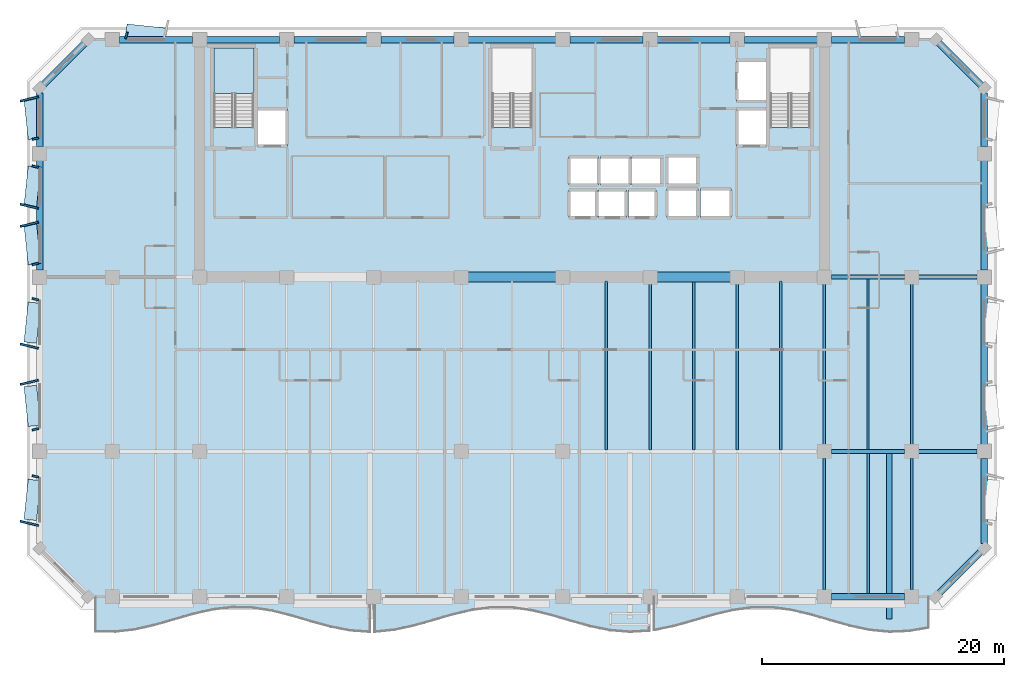
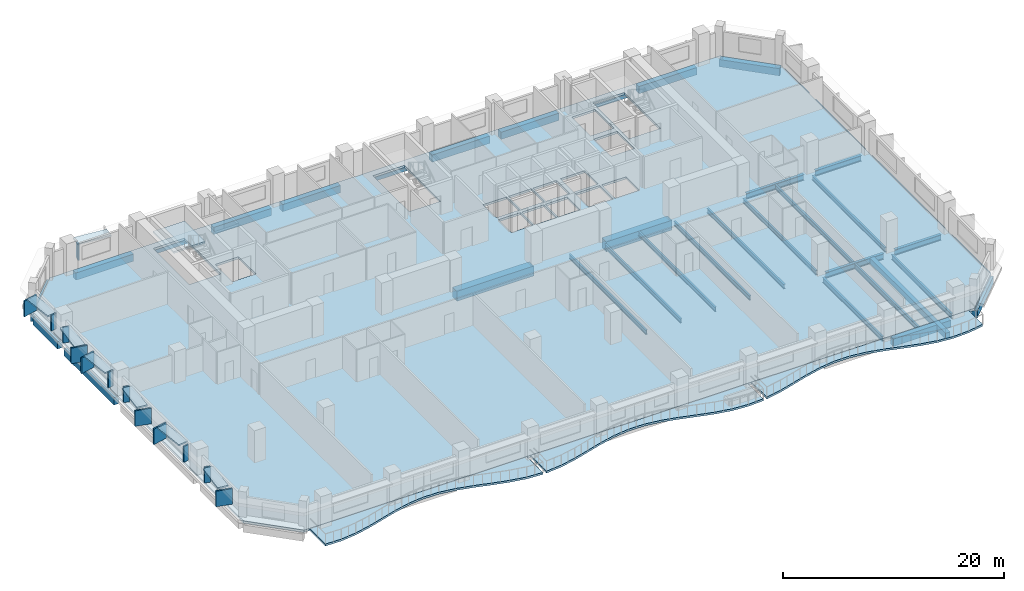
# One storey, part 2 of 14: 37 beams, 20 plates, 5 slabs, 1 element without a shape of its own.
"""IFC4 building model written with IfcOpenShell, lengths in metres."""

import ifcopenshell
import ifcopenshell.guid

model = None  # the IFC model being written
_history = None  # IfcOwnerHistory: only IFC2X3 demands one
_inside = {}  # id of a spatial element -> (the spatial element, [elements in it])
_under = {}  # id of a project, library or spatial element -> (it, [spatial elements below it])
_declared = {}  # id of a project -> (the project, [libraries it declares])
_typed = {}  # id of a type object -> (the type object, [elements of that type])
_made_of = {}  # id of a material, layer set ... -> (it, [elements and type objects made of it])


def new_model(schema):
    """Start an empty IFC model of exactly this schema.

    Asked for "IFC4X3", IfcOpenShell would pick the latest addendum, in which some entities
    have other attributes; the version numbers below select the first issue.
    IFC2X3 requires an IfcOwnerHistory on every rooted entity: one is made here for all.
    """
    global model, _history
    if schema == "IFC4X3":
        model = ifcopenshell.file(schema_version=(4, 3, 0, 0))
    else:
        model = ifcopenshell.file(schema=schema)
    _inside.clear()
    _under.clear()
    _declared.clear()
    _typed.clear()
    _made_of.clear()
    _history = None
    if model.schema == "IFC2X3":
        org = make("IfcOrganization", Name="unknown")
        user = make(
            "IfcPersonAndOrganization",
            ThePerson=make("IfcPerson", FamilyName="unknown"),
            TheOrganization=org,
        )
        app = make(
            "IfcApplication",
            ApplicationDeveloper=org,
            Version="unknown",
            ApplicationFullName="unknown",
            ApplicationIdentifier="unknown",
        )
        _history = make(
            "IfcOwnerHistory",
            OwningUser=user,
            OwningApplication=app,
            ChangeAction="ADDED",
            CreationDate=0,
        )
    return model


def make(cls, **values):
    """One entity of the class cls with the attributes given. An attribute that is None is left unset."""
    return model.create_entity(
        cls, **{name: value for name, value in values.items() if value is not None}
    )


def rooted(cls, **values):
    """An entity with a GlobalId (a new one), such as an element, a storey or a relation."""
    return make(cls, GlobalId=ifcopenshell.guid.new(), OwnerHistory=_history, **values)


def si_unit(unit_type, name, prefix=None):
    """IfcSIUnit, for example si_unit("LENGTHUNIT", "METRE", prefix="MILLI")."""
    return make("IfcSIUnit", UnitType=unit_type, Prefix=prefix, Name=name)


def assignment(units):
    """IfcUnitAssignment: the units of a project."""
    return None if units is None else make("IfcUnitAssignment", Units=units)


def point(xyz):
    """IfcCartesianPoint."""
    return None if xyz is None else make("IfcCartesianPoint", Coordinates=xyz)


def direction(xyz):
    """IfcDirection."""
    return None if xyz is None else make("IfcDirection", DirectionRatios=xyz)


def frame(location, z_axis=None, x_axis=None):
    """IfcAxis2Placement3D, a coordinate frame: its origin and axes. An axis left out is left unset."""
    return make(
        "IfcAxis2Placement3D",
        Location=point(location),
        Axis=direction(z_axis),
        RefDirection=direction(x_axis),
    )


def frame_2d(location, x_axis=None):
    """IfcAxis2Placement2D, a coordinate frame in the plane: its origin and x axis."""
    return make(
        "IfcAxis2Placement2D", Location=point(location), RefDirection=direction(x_axis)
    )


def origin():
    """The frame at (0, 0, 0) with its axes left unset."""
    return frame((0.0, 0.0, 0.0))


def origin_2d():
    """The frame at (0, 0) in the plane with its x axis left unset."""
    return frame_2d((0.0, 0.0))


def place(relative_to, where):
    """IfcLocalPlacement: puts the frame where relative to a parent placement (None: the world)."""
    return make(
        "IfcLocalPlacement", PlacementRelTo=relative_to, RelativePlacement=where
    )


def context(
    kind, dimensions, precision=None, world=None, true_north=None, identifier=None
):
    """IfcGeometricRepresentationContext, for example the 3D "Model" context."""
    return make(
        "IfcGeometricRepresentationContext",
        ContextIdentifier=identifier,
        ContextType=kind,
        CoordinateSpaceDimension=dimensions,
        Precision=precision,
        WorldCoordinateSystem=world,
        TrueNorth=true_north,
    )


def subcontext(parent, identifier, kind, view, scale=None):
    """IfcGeometricRepresentationSubContext, for example "Body" below "Model"."""
    return make(
        "IfcGeometricRepresentationSubContext",
        ContextIdentifier=identifier,
        ContextType=kind,
        ParentContext=parent,
        TargetScale=scale,
        TargetView=view,
    )


def project(units=None, contexts=None):
    """IfcProject with its units and contexts."""
    return rooted(
        "IfcProject",
        Name="project",
        RepresentationContexts=contexts,
        UnitsInContext=assignment(units),
    )


def spatial(cls, under=None, at=None, **own):
    """A site, building, storey or space (cls), placed at a placement, below another one or the project."""
    s = rooted(cls, ObjectPlacement=at, **own)
    if under is not None:
        _under.setdefault(under.id(), (under, []))[1].append(s)
    return s


def polyline(points):
    """IfcPolyline through the points."""
    return make("IfcPolyline", Points=[point(p) for p in points])


def profile(cls, at=None, kind="AREA", **sizes):
    """A parametric profile (cls). Its sizes go by their IFC names, for example OverallWidth=200.0."""
    return make(cls, ProfileType=kind, Position=at, **sizes)


def rectangle(**sizes):
    """IfcRectangleProfileDef."""
    return profile("IfcRectangleProfileDef", **sizes)


def i_section(**sizes):
    """IfcIShapeProfileDef."""
    return profile("IfcIShapeProfileDef", **sizes)


def outline(outer, holes=None, kind="AREA"):
    """IfcArbitraryClosedProfileDef: a profile drawn as a closed curve; with holes, ...WithVoids."""
    if holes is None:
        return make("IfcArbitraryClosedProfileDef", ProfileType=kind, OuterCurve=outer)
    return make(
        "IfcArbitraryProfileDefWithVoids",
        ProfileType=kind,
        OuterCurve=outer,
        InnerCurves=holes,
    )


def extrude(swept, where, along, depth):
    """IfcExtrudedAreaSolid: the profile swept, set in the frame where, extruded along a direction by depth."""
    return make(
        "IfcExtrudedAreaSolid",
        SweptArea=swept,
        Position=where,
        ExtrudedDirection=direction(along),
        Depth=depth,
    )


def shape(context_of_items, identifier, shape_type, items):
    """IfcShapeRepresentation: the items that make up one representation, for example the "Body"."""
    return make(
        "IfcShapeRepresentation",
        ContextOfItems=context_of_items,
        RepresentationIdentifier=identifier,
        RepresentationType=shape_type,
        Items=items,
    )


def material(Name=None, Category=None):
    """IfcMaterial."""
    return make("IfcMaterial", Name=Name, Category=Category)


def layer(
    of_material, thickness, ventilated=None, Name=None, Category=None, Priority=None
):
    """IfcMaterialLayer: one layer of a wall or slab, of a material (None: an air gap)."""
    return make(
        "IfcMaterialLayer",
        Material=of_material,
        LayerThickness=thickness,
        IsVentilated=ventilated,
        Name=Name,
        Category=Category,
        Priority=Priority,
    )


def layer_set(layers, Name=None):
    """IfcMaterialLayerSet."""
    return make("IfcMaterialLayerSet", MaterialLayers=layers, LayerSetName=Name)


def material_profile(
    of_material, cross_section, Name=None, Category=None, Priority=None
):
    """IfcMaterialProfile: a cross section and its material."""
    return make(
        "IfcMaterialProfile",
        Name=Name,
        Material=of_material,
        Profile=cross_section,
        Priority=Priority,
        Category=Category,
    )


def profile_set(profiles, Name=None, composite=None):
    """IfcMaterialProfileSet."""
    return make(
        "IfcMaterialProfileSet",
        Name=Name,
        MaterialProfiles=profiles,
        CompositeProfile=composite,
    )


def made_of(thing, what):
    """Note that an element or type object is made of a material, layer set ...; save() writes the relation."""
    if what is not None:
        _made_of.setdefault(what.id(), (what, []))[1].append(thing)
    return thing


def type_object(cls, material=None, **own):
    """A type object (cls), such as IfcWallType, which elements share."""
    return made_of(rooted(cls, **own), material)


def element(
    cls,
    number,
    at=None,
    inside=None,
    cuts=None,
    type_object=None,
    material=None,
    context=None,
    identifier="Body",
    shape_type=None,
    held_by="IfcProductDefinitionShape",
    body=None,
    shapes=None,
    **own,
):
    """One element of the class cls, such as IfcWall. Its Tag is "e" and its number.

    at: its placement. inside: the storey or other place that contains it. cuts: it is an
    opening in that element (IfcRelVoidsElement). A single representation is given by context,
    identifier, shape_type and body (its items); several are given by shapes. held_by: the class
    of the entity that holds the representations. save() writes the other relations.
    """
    e = rooted(cls, Tag="e%d" % number, ObjectPlacement=at, **own)
    if body is not None:
        shapes = [shape(context, identifier, shape_type, body)]
    if shapes is not None:
        e.Representation = make(held_by, Representations=shapes)
    if inside is not None:
        _inside.setdefault(inside.id(), (inside, []))[1].append(e)
    if cuts is not None:
        rooted(
            "IfcRelVoidsElement", RelatingBuildingElement=cuts, RelatedOpeningElement=e
        )
    if type_object is not None:
        _typed.setdefault(type_object.id(), (type_object, []))[1].append(e)
    return made_of(e, material)


def aggregate(whole, parts):
    """IfcRelAggregates: a whole, such as a stair, and the parts it consists of."""
    return rooted("IfcRelAggregates", RelatingObject=whole, RelatedObjects=parts)


def save(model, path):
    """Write the relations noted so far, then the file.

    IfcRelAggregates (storeys below a building ...), IfcRelContainedInSpatialStructure (elements
    in a storey), IfcRelDefinesByType, IfcRelAssociatesMaterial and IfcRelDeclares: one each for
    every whole, place, type object, material and project.
    """
    for whole, parts in _under.values():
        aggregate(whole, parts)
    for where, things in _inside.values():
        rooted(
            "IfcRelContainedInSpatialStructure",
            RelatedElements=things,
            RelatingStructure=where,
        )
    for kind, things in _typed.values():
        rooted("IfcRelDefinesByType", RelatedObjects=things, RelatingType=kind)
    for what, things in _made_of.values():
        rooted("IfcRelAssociatesMaterial", RelatedObjects=things, RelatingMaterial=what)
    for by, libraries in _declared.values():
        rooted("IfcRelDeclares", RelatingContext=by, RelatedDefinitions=libraries)
    model.write(path)


model = new_model("IFC4")

# Units and contexts
model_context = context("Model", 3, precision=1e-05, world=origin(), true_north=direction((0.0, 1.0)))
body_context = subcontext(model_context, "Body", "Model", "MODEL_VIEW")
ifc_project = project(units=[si_unit("LENGTHUNIT", "METRE"), si_unit("AREAUNIT", "SQUARE_METRE"), si_unit("VOLUMEUNIT", "CUBIC_METRE"), si_unit("PLANEANGLEUNIT", "RADIAN"), si_unit("MASSUNIT", "GRAM", prefix="KILO")], contexts=[model_context])

# Site, building, storey
site_placement = place(None, origin())
site = spatial("IfcSite", under=ifc_project, at=site_placement, CompositionType="ELEMENT")
building_placement = place(site_placement, origin())
building = spatial("IfcBuilding", under=site, at=building_placement, Name="Kaelvorn Grand Hotel", CompositionType="ELEMENT")
storey_placement = place(building_placement, frame((0.0, 0.0, 205.35009765625)))
storey = spatial("IfcBuildingStorey", under=building, at=storey_placement, Name="L50", CompositionType="ELEMENT", Elevation=205.35009765625)

# Beams
ifc_material_1 = material(Name="Steel S355", Category="steel")
ifc_material_profile_1 = material_profile(ifc_material_1, i_section(OverallWidth=0.300048828125, OverallDepth=0.64990234375, WebThickness=0.01611328125, FlangeThickness=0.031005859375, FilletRadius=0.027099609375, at=origin_2d()), Name="HEB 650")
ifc_profile_set_1 = profile_set([ifc_material_profile_1], Name="Steel S355")
beam_type_1 = type_object("IfcBeamType", Name="BM-G-HEB650-S355", PredefinedType="BEAM", material=ifc_profile_set_1)
beam_1_placement = place(storey_placement, frame((68.385009765625, 15.0, -0.565185546875), z_axis=(1.0, 0.0, 0.0), x_axis=(0.0, 1.0, 0.0)))
element("IfcBeam", 1, at=beam_1_placement, inside=storey, type_object=beam_type_1, Name="L50 Primary Spine Steel Girder G-15 06", PredefinedType="BEAM", context=body_context, shape_type="SweptSolid", body=[
    extrude(i_section(OverallWidth=0.300048828125, OverallDepth=0.64990234375, WebThickness=0.01611328125, FlangeThickness=0.031005859375, FilletRadius=0.027099609375, at=origin_2d()), origin(), (0.0, 0.0, 1.0), 6.030029296875),
])
beam_2_placement = place(storey_placement, frame((75.5849609375, 15.0, -0.565185546875), z_axis=(1.0, 0.0, 0.0), x_axis=(0.0, 1.0, 0.0)))
element("IfcBeam", 2, at=beam_2_placement, inside=storey, type_object=beam_type_1, Name="L50 Primary Spine Steel Girder G-15 07", PredefinedType="BEAM", context=body_context, shape_type="SweptSolid", body=[
    extrude(i_section(OverallWidth=0.300048828125, OverallDepth=0.64990234375, WebThickness=0.01611328125, FlangeThickness=0.031005859375, FilletRadius=0.027099609375, at=origin_2d()), origin(), (0.0, 0.0, 1.0), 4.830078125),
])
beam_3_placement = place(storey_placement, frame((68.385009765625, 29.39990234375, -0.565185546875), z_axis=(1.0, 0.0, 0.0), x_axis=(0.0, 1.0, 0.0)))
element("IfcBeam", 3, at=beam_3_placement, inside=storey, type_object=beam_type_1, Name="L50 East Core Wing Steel Girder G-29E 01", PredefinedType="BEAM", context=body_context, shape_type="SweptSolid", body=[
    extrude(i_section(OverallWidth=0.300048828125, OverallDepth=0.64990234375, WebThickness=0.01611328125, FlangeThickness=0.031005859375, FilletRadius=0.027099609375, at=origin_2d()), origin(), (0.0, 0.0, 1.0), 6.030029296875),
])
beam_4_placement = place(storey_placement, frame((75.5849609375, 29.39990234375, -0.565185546875), z_axis=(1.0, 0.0, 0.0), x_axis=(0.0, 1.0, 0.0)))
element("IfcBeam", 4, at=beam_4_placement, inside=storey, type_object=beam_type_1, Name="L50 East Core Wing Steel Girder G-29E 02", PredefinedType="BEAM", context=body_context, shape_type="SweptSolid", body=[
    extrude(i_section(OverallWidth=0.300048828125, OverallDepth=0.64990234375, WebThickness=0.01611328125, FlangeThickness=0.031005859375, FilletRadius=0.027099609375, at=origin_2d()), origin(), (0.0, 0.0, 1.0), 4.830078125),
])
ifc_material_profile_2 = material_profile(ifc_material_1, i_section(OverallWidth=0.199951171875, OverallDepth=0.5, WebThickness=0.01025390625, FlangeThickness=0.01611328125, FilletRadius=0.02099609375, at=origin_2d()), Name="IPE 500")
ifc_profile_set_2 = profile_set([ifc_material_profile_2], Name="Steel S355")
beam_type_2 = type_object("IfcBeamType", Name="BM-J-IPE500-S355", PredefinedType="JOIST", material=ifc_profile_set_2)
beam_5_placement = place(storey_placement, frame((49.800048828125, 15.135009765625, -0.489990234375), z_axis=(0.0, 1.0, 0.0), x_axis=(-1.0, 0.0, 0.0)))
element("IfcBeam", 5, at=beam_5_placement, inside=storey, type_object=beam_type_2, Name="L50 Composite Floor Joist JM-14", PredefinedType="JOIST", context=body_context, shape_type="SweptSolid", body=[
    extrude(i_section(OverallWidth=0.199951171875, OverallDepth=0.5, WebThickness=0.01025390625, FlangeThickness=0.01611328125, FilletRadius=0.02099609375, at=origin_2d()), origin(), (0.0, 0.0, 1.0), 13.925048828125),
])
beam_6_placement = place(storey_placement, frame((53.39990234375, 15.135009765625, -0.489990234375), z_axis=(0.0, 1.0, 0.0), x_axis=(-1.0, 0.0, 0.0)))
element("IfcBeam", 6, at=beam_6_placement, inside=storey, type_object=beam_type_2, Name="L50 Composite Floor Joist JM-15", PredefinedType="JOIST", context=body_context, shape_type="SweptSolid", body=[
    extrude(i_section(OverallWidth=0.199951171875, OverallDepth=0.5, WebThickness=0.01025390625, FlangeThickness=0.01611328125, FilletRadius=0.02099609375, at=origin_2d()), origin(), (0.0, 0.0, 1.0), 13.679931640625),
])
beam_7_placement = place(storey_placement, frame((57.0, 15.135009765625, -0.489990234375), z_axis=(0.0, 1.0, 0.0), x_axis=(-1.0, 0.0, 0.0)))
element("IfcBeam", 7, at=beam_7_placement, inside=storey, type_object=beam_type_2, Name="L50 Composite Floor Joist JM-16", PredefinedType="JOIST", context=body_context, shape_type="SweptSolid", body=[
    extrude(i_section(OverallWidth=0.199951171875, OverallDepth=0.5, WebThickness=0.01025390625, FlangeThickness=0.01611328125, FilletRadius=0.02099609375, at=origin_2d()), origin(), (0.0, 0.0, 1.0), 13.925048828125),
])
beam_8_placement = place(storey_placement, frame((60.60009765625, 15.135009765625, -0.489990234375), z_axis=(0.0, 1.0, 0.0), x_axis=(-1.0, 0.0, 0.0)))
element("IfcBeam", 8, at=beam_8_placement, inside=storey, type_object=beam_type_2, Name="L50 Composite Floor Joist JM-17", PredefinedType="JOIST", context=body_context, shape_type="SweptSolid", body=[
    extrude(i_section(OverallWidth=0.199951171875, OverallDepth=0.5, WebThickness=0.01025390625, FlangeThickness=0.01611328125, FilletRadius=0.02099609375, at=origin_2d()), origin(), (0.0, 0.0, 1.0), 13.679931640625),
])
beam_9_placement = place(storey_placement, frame((64.199951171875, 15.135009765625, -0.489990234375), z_axis=(0.0, 1.0, 0.0), x_axis=(-1.0, 0.0, 0.0)))
element("IfcBeam", 9, at=beam_9_placement, inside=storey, type_object=beam_type_2, Name="L50 Composite Floor Joist JM-18", PredefinedType="JOIST", context=body_context, shape_type="SweptSolid", body=[
    extrude(i_section(OverallWidth=0.199951171875, OverallDepth=0.5, WebThickness=0.01025390625, FlangeThickness=0.01611328125, FilletRadius=0.02099609375, at=origin_2d()), origin(), (0.0, 0.0, 1.0), 13.925048828125),
])
beam_10_placement = place(storey_placement, frame((67.800048828125, 15.5849609375, -0.489990234375), z_axis=(0.0, 1.0, 0.0), x_axis=(-1.0, 0.0, 0.0)))
element("IfcBeam", 10, at=beam_10_placement, inside=storey, type_object=beam_type_2, Name="L50 Composite Floor Joist JM-19", PredefinedType="JOIST", context=body_context, shape_type="SweptSolid", body=[
    extrude(i_section(OverallWidth=0.199951171875, OverallDepth=0.5, WebThickness=0.01025390625, FlangeThickness=0.01611328125, FilletRadius=0.02099609375, at=origin_2d()), origin(), (0.0, 0.0, 1.0), 13.22998046875),
])
beam_11_placement = place(storey_placement, frame((71.39990234375, 15.135009765625, -0.489990234375), z_axis=(0.0, 1.0, 0.0), x_axis=(-1.0, 0.0, 0.0)))
element("IfcBeam", 11, at=beam_11_placement, inside=storey, type_object=beam_type_2, Name="L50 Composite Floor Joist JM-20", PredefinedType="JOIST", context=body_context, shape_type="SweptSolid", body=[
    extrude(i_section(OverallWidth=0.199951171875, OverallDepth=0.5, WebThickness=0.01025390625, FlangeThickness=0.01611328125, FilletRadius=0.02099609375, at=origin_2d()), origin(), (0.0, 0.0, 1.0), 14.1298828125),
])
beam_12_placement = place(storey_placement, frame((75.0, 15.5849609375, -0.489990234375), z_axis=(0.0, 1.0, 0.0), x_axis=(-1.0, 0.0, 0.0)))
element("IfcBeam", 12, at=beam_12_placement, inside=storey, type_object=beam_type_2, Name="L50 Composite Floor Joist JM-21", PredefinedType="JOIST", context=body_context, shape_type="SweptSolid", body=[
    extrude(i_section(OverallWidth=0.199951171875, OverallDepth=0.5, WebThickness=0.01025390625, FlangeThickness=0.01611328125, FilletRadius=0.02099609375, at=origin_2d()), origin(), (0.0, 0.0, 1.0), 13.22998046875),
])
ifc_material_profile_3 = material_profile(ifc_material_1, i_section(OverallWidth=0.2099609375, OverallDepth=0.550048828125, WebThickness=0.010986328125, FlangeThickness=0.01708984375, FilletRadius=0.02392578125, at=origin_2d()), Name="IPE 550")
ifc_profile_set_3 = profile_set([ifc_material_profile_3], Name="Steel S355")
beam_type_3 = type_object("IfcBeamType", Name="BM-J-IPE550-S355", PredefinedType="JOIST", material=ifc_profile_set_3)
beam_13_placement = place(storey_placement, frame((67.800048828125, 3.5849609375, -0.51513671875), z_axis=(0.0, 1.0, 0.0), x_axis=(-1.0, 0.0, 0.0)))
element("IfcBeam", 13, at=beam_13_placement, inside=storey, type_object=beam_type_3, Name="L50 Composite Floor Joist JS-19", PredefinedType="JOIST", context=body_context, shape_type="SweptSolid", body=[
    extrude(i_section(OverallWidth=0.2099609375, OverallDepth=0.550048828125, WebThickness=0.010986328125, FlangeThickness=0.01708984375, FilletRadius=0.02392578125, at=origin_2d()), origin(), (0.0, 0.0, 1.0), 10.830078125),
])
beam_14_placement = place(storey_placement, frame((71.39990234375, 3.260009765625, -0.51513671875), z_axis=(0.0, 1.0, 0.0), x_axis=(-1.0, 0.0, 0.0)))
element("IfcBeam", 14, at=beam_14_placement, inside=storey, type_object=beam_type_3, Name="L50 Composite Floor Joist JS-20", PredefinedType="JOIST", context=body_context, shape_type="SweptSolid", body=[
    extrude(i_section(OverallWidth=0.2099609375, OverallDepth=0.550048828125, WebThickness=0.010986328125, FlangeThickness=0.01708984375, FilletRadius=0.02392578125, at=origin_2d()), origin(), (0.0, 0.0, 1.0), 11.60498046875),
])
beam_15_placement = place(storey_placement, frame((75.0, 3.5849609375, -0.51513671875), z_axis=(0.0, 1.0, 0.0), x_axis=(-1.0, 0.0, 0.0)))
element("IfcBeam", 15, at=beam_15_placement, inside=storey, type_object=beam_type_3, Name="L50 Composite Floor Joist JS-21", PredefinedType="JOIST", context=body_context, shape_type="SweptSolid", body=[
    extrude(i_section(OverallWidth=0.2099609375, OverallDepth=0.550048828125, WebThickness=0.010986328125, FlangeThickness=0.01708984375, FilletRadius=0.02392578125, at=origin_2d()), origin(), (0.0, 0.0, 1.0), 10.830078125),
])
ifc_material_2 = material(Name="Concrete C60/75", Category="concrete")
ifc_material_profile_4 = material_profile(ifc_material_2, rectangle(XDim=0.800048828125, YDim=1.10009765625, at=origin_2d()), Name="RC LINTEL 800x1100")
ifc_profile_set_4 = profile_set([ifc_material_profile_4], Name="Concrete C60/75")
beam_type_4 = type_object("IfcBeamType", Name="BM-LIN-800x1100-C60", PredefinedType="LINTEL", material=ifc_profile_set_4)
beam_16_placement = place(storey_placement, frame((37.97998046875, 29.39990234375, -0.7900390625), z_axis=(1.0, 0.0, 0.0), x_axis=(0.0, 1.0, 0.0)))
element("IfcBeam", 16, at=beam_16_placement, inside=storey, type_object=beam_type_4, Name="L50 Rear-Core Coupling Lintel Beam CB1-02", PredefinedType="LINTEL", context=body_context, shape_type="SweptSolid", body=[
    extrude(rectangle(XDim=0.800048828125, YDim=1.10009765625, at=origin_2d()), origin(), (0.0, 0.0, 1.0), 8.0400390625),
])
beam_17_placement = place(storey_placement, frame((53.580078125, 29.39990234375, -0.7900390625), z_axis=(1.0, 0.0, 0.0), x_axis=(0.0, 1.0, 0.0)))
element("IfcBeam", 17, at=beam_17_placement, inside=storey, type_object=beam_type_4, Name="L50 Rear-Core Coupling Lintel Beam CB1-03", PredefinedType="LINTEL", context=body_context, shape_type="SweptSolid", body=[
    extrude(rectangle(XDim=0.800048828125, YDim=1.10009765625, at=origin_2d()), origin(), (0.0, 0.0, 1.0), 6.83984375),
])
ifc_material_3 = material(Name="Concrete C40/50", Category="concrete")
ifc_material_profile_5 = material_profile(ifc_material_3, rectangle(XDim=0.449951171875, YDim=0.64990234375, at=origin_2d()), Name="RC RIB 450x650")
ifc_profile_set_5 = profile_set([ifc_material_profile_5], Name="Concrete C40/50")
beam_type_5 = type_object("IfcBeamType", Name="BM-RIB-450x650-C40", PredefinedType="SPANDREL", material=ifc_profile_set_5)
beam_18_placement = place(storey_placement, frame((73.161865234375, 1.14990234375, -0.545166015625), z_axis=(0.0, 1.0, 0.0), x_axis=(-1.0, 0.0, 0.0)))
element("IfcBeam", 18, at=beam_18_placement, inside=storey, type_object=beam_type_5, Name="L50 Cantilevered Balcony Back-Span Rib RB1-3", PredefinedType="SPANDREL", context=body_context, shape_type="SweptSolid", body=[
    extrude(rectangle(XDim=0.449951171875, YDim=0.64990234375, at=origin_2d()), origin(), (0.0, 0.0, 1.0), 13.715087890625),
])
ifc_material_4 = material(Name="Concrete C50/60", Category="concrete")
ifc_material_profile_6 = material_profile(ifc_material_4, rectangle(XDim=0.550048828125, YDim=0.800048828125, at=origin_2d()), Name="RC SPANDREL 550x800")
ifc_profile_set_6 = profile_set([ifc_material_profile_6], Name="Concrete C50/60")
beam_type_6 = type_object("IfcBeamType", Name="BM-SP-550x800-C50", PredefinedType="SPANDREL", material=ifc_profile_set_6)
for number, where, z_axis, x_axis, name in (
    (19, (68.385009765625, 3.0, -0.64013671875), (1.0, 0.0, 0.0), (0.0, 1.0, 0.0), "L50 South Perimeter Spandrel 10"),
    (20, (9.5849609375, 49.0, -0.64013671875), (1.0, 0.0, 0.0), (0.0, 1.0, 0.0), "L50 North Perimeter Spandrel 02"),
    (21, (16.784912109375, 49.0, -0.64013671875), (1.0, 0.0, 0.0), (0.0, 1.0, 0.0), "L50 North Perimeter Spandrel 03"),
):
    element("IfcBeam", number, at=place(storey_placement, frame(where, z_axis=z_axis, x_axis=x_axis)), inside=storey, type_object=beam_type_6, Name=name, PredefinedType="SPANDREL", context=body_context, shape_type="SweptSolid", body=[
        extrude(rectangle(XDim=0.550048828125, YDim=0.800048828125, at=origin_2d()), origin(), (0.0, 0.0, 1.0), 6.030029296875),
    ])
beam_19_placement = place(storey_placement, frame((23.985107421875, 49.0, -0.64013671875), z_axis=(1.0, 0.0, 0.0), x_axis=(0.0, 1.0, 0.0)))
element("IfcBeam", 22, at=beam_19_placement, inside=storey, type_object=beam_type_6, Name="L50 North Perimeter Spandrel 04", PredefinedType="SPANDREL", context=body_context, shape_type="SweptSolid", body=[
    extrude(rectangle(XDim=0.550048828125, YDim=0.800048828125, at=origin_2d()), origin(), (0.0, 0.0, 1.0), 6.02978515625),
])
beam_20_placement = place(storey_placement, frame((31.18505859375, 49.0, -0.64013671875), z_axis=(1.0, 0.0, 0.0), x_axis=(0.0, 1.0, 0.0)))
element("IfcBeam", 23, at=beam_20_placement, inside=storey, type_object=beam_type_6, Name="L50 North Perimeter Spandrel 05", PredefinedType="SPANDREL", context=body_context, shape_type="SweptSolid", body=[
    extrude(rectangle(XDim=0.550048828125, YDim=0.800048828125, at=origin_2d()), origin(), (0.0, 0.0, 1.0), 6.030029296875),
])
beam_21_placement = place(storey_placement, frame((38.385009765625, 49.0, -0.64013671875), z_axis=(1.0, 0.0, 0.0), x_axis=(0.0, 1.0, 0.0)))
element("IfcBeam", 24, at=beam_21_placement, inside=storey, type_object=beam_type_6, Name="L50 North Perimeter Spandrel 06", PredefinedType="SPANDREL", context=body_context, shape_type="SweptSolid", body=[
    extrude(rectangle(XDim=0.550048828125, YDim=0.800048828125, at=origin_2d()), origin(), (0.0, 0.0, 1.0), 7.22998046875),
])
beam_22_placement = place(storey_placement, frame((46.784912109375, 49.0, -0.64013671875), z_axis=(1.0, 0.0, 0.0), x_axis=(0.0, 1.0, 0.0)))
element("IfcBeam", 25, at=beam_22_placement, inside=storey, type_object=beam_type_6, Name="L50 North Perimeter Spandrel 07", PredefinedType="SPANDREL", context=body_context, shape_type="SweptSolid", body=[
    extrude(rectangle(XDim=0.550048828125, YDim=0.800048828125, at=origin_2d()), origin(), (0.0, 0.0, 1.0), 6.030029296875),
])
beam_23_placement = place(storey_placement, frame((53.985107421875, 49.0, -0.64013671875), z_axis=(1.0, 0.0, 0.0), x_axis=(0.0, 1.0, 0.0)))
element("IfcBeam", 26, at=beam_23_placement, inside=storey, type_object=beam_type_6, Name="L50 North Perimeter Spandrel 08", PredefinedType="SPANDREL", context=body_context, shape_type="SweptSolid", body=[
    extrude(rectangle(XDim=0.550048828125, YDim=0.800048828125, at=origin_2d()), origin(), (0.0, 0.0, 1.0), 6.02978515625),
])
for number, where, z_axis, x_axis, name in (
    (27, (61.18505859375, 49.0, -0.64013671875), (1.0, 0.0, 0.0), (0.0, 1.0, 0.0), "L50 North Perimeter Spandrel 09"),
    (28, (68.385009765625, 49.0, -0.64013671875), (1.0, 0.0, 0.0), (0.0, 1.0, 0.0), "L50 North Perimeter Spandrel 10"),
):
    element("IfcBeam", number, at=place(storey_placement, frame(where, z_axis=z_axis, x_axis=x_axis)), inside=storey, type_object=beam_type_6, Name=name, PredefinedType="SPANDREL", context=body_context, shape_type="SweptSolid", body=[
        extrude(rectangle(XDim=0.550048828125, YDim=0.800048828125, at=origin_2d()), origin(), (0.0, 0.0, 1.0), 6.030029296875),
    ])
beam_24_placement = place(storey_placement, frame((3.0, 29.985107421875, -0.64013671875), z_axis=(0.0, 1.0, 0.0), x_axis=(-1.0, 0.0, 0.0)))
element("IfcBeam", 29, at=beam_24_placement, inside=storey, type_object=beam_type_6, Name="L50 West Perimeter Spandrel 03", PredefinedType="SPANDREL", context=body_context, shape_type="SweptSolid", body=[
    extrude(rectangle(XDim=0.550048828125, YDim=0.800048828125, at=origin_2d()), origin(), (0.0, 0.0, 1.0), 9.02978515625),
])
beam_25_placement = place(storey_placement, frame((3.0, 40.18505859375, -0.64013671875), z_axis=(0.0, 1.0, 0.0), x_axis=(-1.0, 0.0, 0.0)))
element("IfcBeam", 30, at=beam_25_placement, inside=storey, type_object=beam_type_6, Name="L50 West Perimeter Spandrel 04", PredefinedType="SPANDREL", context=body_context, shape_type="SweptSolid", body=[
    extrude(rectangle(XDim=0.550048828125, YDim=0.800048828125, at=origin_2d()), origin(), (0.0, 0.0, 1.0), 4.409912109375),
])
beam_26_placement = place(storey_placement, frame((81.0, 7.405029296875, -0.64013671875), z_axis=(0.0, 1.0, 0.0), x_axis=(-1.0, 0.0, 0.0)))
element("IfcBeam", 31, at=beam_26_placement, inside=storey, type_object=beam_type_6, Name="L50 East Perimeter Spandrel 01", PredefinedType="SPANDREL", context=body_context, shape_type="SweptSolid", body=[
    extrude(rectangle(XDim=0.550048828125, YDim=0.800048828125, at=origin_2d()), origin(), (0.0, 0.0, 1.0), 7.010009765625),
])
beam_27_placement = place(storey_placement, frame((81.0, 15.5849609375, -0.64013671875), z_axis=(0.0, 1.0, 0.0), x_axis=(-1.0, 0.0, 0.0)))
element("IfcBeam", 32, at=beam_27_placement, inside=storey, type_object=beam_type_6, Name="L50 East Perimeter Spandrel 02", PredefinedType="SPANDREL", context=body_context, shape_type="SweptSolid", body=[
    extrude(rectangle(XDim=0.550048828125, YDim=0.800048828125, at=origin_2d()), origin(), (0.0, 0.0, 1.0), 13.22998046875),
])
beam_28_placement = place(storey_placement, frame((81.0, 29.985107421875, -0.64013671875), z_axis=(0.0, 1.0, 0.0), x_axis=(-1.0, 0.0, 0.0)))
element("IfcBeam", 33, at=beam_28_placement, inside=storey, type_object=beam_type_6, Name="L50 East Perimeter Spandrel 03", PredefinedType="SPANDREL", context=body_context, shape_type="SweptSolid", body=[
    extrude(rectangle(XDim=0.550048828125, YDim=0.800048828125, at=origin_2d()), origin(), (0.0, 0.0, 1.0), 9.02978515625),
])
beam_29_placement = place(storey_placement, frame((81.0, 40.18505859375, -0.64013671875), z_axis=(0.0, 1.0, 0.0), x_axis=(-1.0, 0.0, 0.0)))
element("IfcBeam", 34, at=beam_29_placement, inside=storey, type_object=beam_type_6, Name="L50 East Perimeter Spandrel 04", PredefinedType="SPANDREL", context=body_context, shape_type="SweptSolid", body=[
    extrude(rectangle(XDim=0.550048828125, YDim=0.800048828125, at=origin_2d()), origin(), (0.0, 0.0, 1.0), 4.409912109375),
])
for number, where, z_axis, x_axis, name in (
    (35, (77.0, 3.0, -0.64013671875), (0.707106781187, 0.707106781187, 0.0), (-0.707106781187, 0.707106781187, 0.0), "L50 Chamfer Spandrel Beam 1"),
    (36, (81.0, 45.0, -0.64013671875), (-0.707106781187, 0.707106781187, 0.0), (-0.707106781187, -0.707106781187, 0.0), "L50 Chamfer Spandrel Beam 2"),
    (37, (7.0, 49.0, -0.64013671875), (-0.707106781187, -0.707106781187, 0.0), (0.707106781187, -0.707106781187, 0.0), "L50 Chamfer Spandrel Beam 3"),
):
    element("IfcBeam", number, at=place(storey_placement, frame(where, z_axis=z_axis, x_axis=x_axis)), inside=storey, type_object=beam_type_6, Name=name, PredefinedType="SPANDREL", context=body_context, shape_type="SweptSolid", body=[
        extrude(rectangle(XDim=0.550048828125, YDim=0.800048828125, at=origin_2d()), origin(), (0.0, 0.0, 1.0), 5.65673828125),
    ])

# Plates
ifc_material_5 = material(Name="Precast concrete C45/55", Category="concrete")
ifc_layer_1 = layer(ifc_material_5, 0.159912109375)
ifc_layer_set_1 = layer_set([ifc_layer_1], Name="Precast concrete C45/55")
plate_type_1 = type_object("IfcPlateType", Name="PL-FRAME-DEEP-1550", PredefinedType="USERDEFINED", material=ifc_layer_set_1)
for number, where, z_axis, x_axis, name in (
    (38, (2.14501953125, 9.06005859375, 0.81494140625), (0.0, 0.0, 1.0), (0.233445363856, 0.972369920398, 0.0), "L50 Tilted Precast Window Frame Fin L-W01"),
    (39, (2.14501953125, 20.705078125, 0.81494140625), (0.0, 0.0, 1.0), (-0.233445363856, 0.972369920398, 0.0), "L50 Tilted Precast Window Frame Fin R-W02"),
    (40, (2.14501953125, 23.695068359375, 0.81494140625), (0.0, 0.0, 1.0), (0.233445363856, 0.972369920398, 0.0), "L50 Tilted Precast Window Frame Fin L-W03"),
    (41, (2.14501953125, 33.7548828125, 0.73974609375), (0.0, 0.0, 1.0), (-0.233445363856, 0.972369920398, 0.0), "L50 Tilted Precast Window Frame Fin R-W04"),
    (42, (2.14501953125, 35.2451171875, 0.73974609375), (0.0, 0.0, 1.0), (0.233445363856, 0.972369920398, 0.0), "L50 Tilted Precast Window Frame Fin L-W05"),
    (43, (2.14501953125, 44.10498046875, 0.73974609375), (0.0, 0.0, 1.0), (-0.233445363856, 0.972369920398, 0.0), "L50 Tilted Precast Window Frame Fin R-W06"),
):
    element("IfcPlate", number, at=place(storey_placement, frame(where, z_axis=z_axis, x_axis=x_axis)), inside=storey, type_object=plate_type_1, Name=name, ObjectType="FLANGE_PLATE", PredefinedType="USERDEFINED", context=body_context, shape_type="SweptSolid", body=[
        extrude(rectangle(XDim=0.159912109375, YDim=1.550048828125, at=origin_2d()), origin(), (0.0, 0.0, 1.0), 1.719970703125),
    ])
ifc_layer_2 = layer(ifc_material_5, 0.159912109375)
ifc_layer_set_2 = layer_set([ifc_layer_2], Name="Precast concrete C45/55")
plate_type_2 = type_object("IfcPlateType", Name="PL-FRAME-HEAD-1050", PredefinedType="USERDEFINED", material=ifc_layer_set_2)
for number, where, z_axis, x_axis, name in (
    (44, (2.39501953125, 11.0, 2.5), (0.0, 0.0, 1.0), (0.105830199459, 0.994384215926, 0.0), "L50 Precast Window Frame Head Hood H-W01"),
    (45, (2.39501953125, 18.764892578125, 2.5), (0.0, 0.0, 1.0), (-0.105830199459, 0.994384215926, 0.0), "L50 Precast Window Frame Head Hood H-W02"),
    (46, (2.39501953125, 25.635009765625, 2.5), (0.0, 0.0, 1.0), (0.105830199459, 0.994384215926, 0.0), "L50 Precast Window Frame Head Hood H-W03"),
    (47, (2.39501953125, 32.114990234375, 2.35009765625), (0.0, 0.0, 1.0), (-0.105830199459, 0.994384215926, 0.0), "L50 Precast Window Frame Head Hood H-W04"),
    (48, (2.39501953125, 36.885009765625, 2.35009765625), (0.0, 0.0, 1.0), (0.105830199459, 0.994384215926, 0.0), "L50 Precast Window Frame Head Hood H-W05"),
    (49, (2.39501953125, 42.465087890625, 2.35009765625), (0.0, 0.0, 1.0), (-0.105830199459, 0.994384215926, 0.0), "L50 Precast Window Frame Head Hood H-W06"),
    (50, (11.800048828125, 49.60498046875, 2.35009765625), (0.0, 0.0, 1.0), (0.994384215926, -0.105830199459, 0.0), "L50 Precast Window Frame Head Hood H-N01"),
):
    element("IfcPlate", number, at=place(storey_placement, frame(where, z_axis=z_axis, x_axis=x_axis)), inside=storey, type_object=plate_type_2, Name=name, ObjectType="FLANGE_PLATE", PredefinedType="USERDEFINED", context=body_context, shape_type="SweptSolid", body=[
        extrude(rectangle(XDim=3.320068359375, YDim=1.050048828125, at=origin_2d()), origin(), (0.0, 0.0, 1.0), 0.159912109375),
    ])
ifc_layer_3 = layer(ifc_material_5, 0.159912109375)
ifc_layer_set_3 = layer_set([ifc_layer_3], Name="Precast concrete C45/55")
plate_type_3 = type_object("IfcPlateType", Name="PL-FRAME-SHAL-550", PredefinedType="USERDEFINED", material=ifc_layer_set_3)
for number, where, z_axis, x_axis, name in (
    (51, (2.64501953125, 12.93994140625, 0.81494140625), (0.0, 0.0, 1.0), (0.233445363856, 0.972369920398, 0.0), "L50 Tilted Precast Window Frame Fin R-W01"),
    (52, (2.64501953125, 16.824951171875, 0.81494140625), (0.0, 0.0, 1.0), (-0.233445363856, 0.972369920398, 0.0), "L50 Tilted Precast Window Frame Fin L-W02"),
    (53, (2.64501953125, 27.574951171875, 0.81494140625), (0.0, 0.0, 1.0), (0.233445363856, 0.972369920398, 0.0), "L50 Tilted Precast Window Frame Fin R-W03"),
    (54, (2.64501953125, 30.47509765625, 0.73974609375), (0.0, 0.0, 1.0), (-0.233445363856, 0.972369920398, 0.0), "L50 Tilted Precast Window Frame Fin L-W04"),
    (55, (2.64501953125, 38.52490234375, 0.73974609375), (0.0, 0.0, 1.0), (0.233445363856, 0.972369920398, 0.0), "L50 Tilted Precast Window Frame Fin R-W05"),
    (56, (2.64501953125, 40.824951171875, 0.73974609375), (0.0, 0.0, 1.0), (-0.233445363856, 0.972369920398, 0.0), "L50 Tilted Precast Window Frame Fin L-W06"),
    (57, (10.159912109375, 49.35498046875, 0.73974609375), (0.0, 0.0, 1.0), (0.972369920398, -0.233445363856, 0.0), "L50 Tilted Precast Window Frame Fin L-N01"),
):
    element("IfcPlate", number, at=place(storey_placement, frame(where, z_axis=z_axis, x_axis=x_axis)), inside=storey, type_object=plate_type_3, Name=name, ObjectType="FLANGE_PLATE", PredefinedType="USERDEFINED", context=body_context, shape_type="SweptSolid", body=[
        extrude(rectangle(XDim=0.159912109375, YDim=0.550048828125, at=origin_2d()), origin(), (0.0, 0.0, 1.0), 1.719970703125),
    ])

# Slabs
ifc_layer_4 = layer(ifc_material_3, 0.219970703125)
ifc_layer_set_4 = layer_set([ifc_layer_4], Name="Concrete C40/50")
slab_type_1 = type_object("IfcSlabType", Name="SLB-BALC-220-C40", PredefinedType="FLOOR", material=ifc_layer_set_4)
slab_1_placement = place(storey_placement, frame((0.0, 0.0, -0.22021484375)))
element("IfcSlab", 58, at=slab_1_placement, inside=storey, type_object=slab_type_1, Name="L50 Scalloped Wave Balcony Slab 1", PredefinedType="FLOOR", context=body_context, shape_type="SweptSolid", body=[
    extrude(outline(polyline([(7.60009765625, 0.150146484375), (9.218994140625, 0.112548828125), (10.838134765625, 0.29541015625), (12.45703125, 0.658935546875), (14.076171875, 1.123779296875), (15.6953125, 1.589111328125), (17.314208984375, 1.953125), (18.933349609375, 2.136962890625), (20.552490234375, 2.1005859375), (22.17138671875, 1.8515625), (23.79052734375, 1.4443359375), (25.409423828125, 0.9677734375), (27.028564453125, 0.525390625), (28.647705078125, 0.21337890625), (30.2666015625, 0.10009765625), (30.2666015625, 3.0), (7.60009765625, 3.0), (7.60009765625, 0.150146484375)])), origin(), (0.0, 0.0, 1.0), 0.22021484375),
])
slab_2_placement = place(storey_placement, frame((0.0, 0.0, -0.22021484375)))
element("IfcSlab", 59, at=slab_2_placement, inside=storey, type_object=slab_type_1, Name="L50 Scalloped Wave Balcony Slab 2", PredefinedType="FLOOR", context=body_context, shape_type="SweptSolid", body=[
    extrude(outline(polyline([(30.666748046875, 0.1064453125), (32.28564453125, 0.26953125), (33.90478515625, 0.618896484375), (35.52392578125, 1.078369140625), (37.142822265625, 1.548095703125), (38.761962890625, 1.92578125), (40.380859375, 2.12890625), (42.0, 2.113525390625), (43.619140625, 1.8828125), (45.238037109375, 1.4873046875), (46.857177734375, 1.0126953125), (48.47607421875, 0.562744140625), (50.09521484375, 0.235107421875), (51.71435546875, 0.10107421875), (53.333251953125, 0.190185546875), (53.333251953125, 3.0), (30.666748046875, 3.0), (30.666748046875, 0.1064453125)])), origin(), (0.0, 0.0, 1.0), 0.22021484375),
])
slab_3_placement = place(storey_placement, frame((0.0, 0.0, -0.22021484375)))
element("IfcSlab", 60, at=slab_3_placement, inside=storey, type_object=slab_type_1, Name="L50 Scalloped Wave Balcony Slab 3", PredefinedType="FLOOR", context=body_context, shape_type="SweptSolid", body=[
    extrude(outline(polyline([(53.7333984375, 0.245361328125), (55.352294921875, 0.579833984375), (56.971435546875, 1.033203125), (58.590576171875, 1.50634765625), (60.20947265625, 1.896484375), (61.82861328125, 2.11865234375), (63.447509765625, 2.12451171875), (65.066650390625, 1.912841796875), (66.685791015625, 1.529296875), (68.3046875, 1.05810546875), (69.923828125, 0.601318359375), (71.54296875, 0.258544921875), (73.161865234375, 0.1044921875), (74.781005859375, 0.172607421875), (76.39990234375, 0.447998046875), (76.39990234375, 3.0), (53.7333984375, 3.0), (53.7333984375, 0.245361328125)])), origin(), (0.0, 0.0, 1.0), 0.22021484375),
])
ifc_layer_5 = layer(ifc_material_3, 0.239990234375)
ifc_layer_set_5 = layer_set([ifc_layer_5], Name="Concrete C40/50")
slab_type_2 = type_object("IfcSlabType", Name="SLB-FLR-240-C40", PredefinedType="FLOOR", material=ifc_layer_set_5)
slab_4_placement = place(storey_placement, frame((0.0, 0.0, -0.239990234375)))
element("IfcSlab", 61, at=slab_4_placement, inside=storey, type_object=slab_type_2, Name="L50 Indoor Suspended Floor Slab", PredefinedType="FLOOR", context=body_context, shape_type="SweptSolid", body=[
    extrude(outline(polyline([(7.0, 3.0), (77.0, 3.0), (81.0, 7.0), (81.0, 45.0), (77.0, 49.0), (7.0, 49.0), (3.0, 45.0), (3.0, 7.0), (7.0, 3.0)]), holes=[polyline([(17.39990234375, 41.760009765625), (17.39990234375, 48.300048828125), (20.679931640625, 48.300048828125), (20.679931640625, 41.760009765625), (17.39990234375, 41.760009765625)]), polyline([(40.360107421875, 41.760009765625), (40.360107421875, 48.300048828125), (43.639892578125, 48.300048828125), (43.639892578125, 41.760009765625), (40.360107421875, 41.760009765625)]), polyline([(63.320068359375, 41.760009765625), (63.320068359375, 48.300048828125), (66.60009765625, 48.300048828125), (66.60009765625, 41.760009765625), (63.320068359375, 41.760009765625)]), polyline([(46.699951171875, 34.300048828125), (46.699951171875, 36.60009765625), (49.0, 36.60009765625), (49.0, 34.300048828125), (46.699951171875, 34.300048828125)]), polyline([(49.14990234375, 34.300048828125), (49.14990234375, 36.60009765625), (51.449951171875, 36.60009765625), (51.449951171875, 34.300048828125), (49.14990234375, 34.300048828125)]), polyline([(51.60009765625, 34.300048828125), (51.60009765625, 36.60009765625), (53.89990234375, 36.60009765625), (53.89990234375, 34.300048828125), (51.60009765625, 34.300048828125)]), polyline([(46.699951171875, 37.0), (46.699951171875, 39.35009765625), (49.14990234375, 39.35009765625), (49.14990234375, 37.0), (46.699951171875, 37.0)]), polyline([(49.300048828125, 37.0), (49.300048828125, 39.35009765625), (51.75, 39.35009765625), (51.75, 37.0), (49.300048828125, 37.0)]), polyline([(51.89990234375, 37.0), (51.89990234375, 39.35009765625), (54.35009765625, 39.35009765625), (54.35009765625, 37.0), (51.89990234375, 37.0)]), polyline([(54.800048828125, 34.300048828125), (54.800048828125, 36.699951171875), (57.35009765625, 36.699951171875), (57.35009765625, 34.300048828125), (54.800048828125, 34.300048828125)]), polyline([(57.550048828125, 34.300048828125), (57.550048828125, 36.699951171875), (60.10009765625, 36.699951171875), (60.10009765625, 34.300048828125), (57.550048828125, 34.300048828125)]), polyline([(54.800048828125, 37.0), (54.800048828125, 39.39990234375), (57.35009765625, 39.39990234375), (57.35009765625, 37.0), (54.800048828125, 37.0)]), polyline([(21.0, 40.199951171875), (21.0, 43.300048828125), (23.449951171875, 43.300048828125), (23.449951171875, 40.199951171875), (21.0, 40.199951171875)]), polyline([(60.550048828125, 40.199951171875), (60.550048828125, 43.300048828125), (63.0, 43.300048828125), (63.0, 40.199951171875), (60.550048828125, 40.199951171875)]), polyline([(60.550048828125, 43.89990234375), (60.550048828125, 47.300048828125), (63.0, 47.300048828125), (63.0, 43.89990234375), (60.550048828125, 43.89990234375)])]), origin(), (0.0, 0.0, 1.0), 0.239990234375),
])

# Stair, slab
stair_type = type_object("IfcStairType", Name="STR-DOG-1560-R08", PredefinedType="HALF_TURN_STAIR", material=ifc_material_3)
stair_placement = place(storey_placement, origin())
stair = element("IfcStair", 62, at=stair_placement, inside=storey, type_object=stair_type, Name="L50 West Core Exit Stair ST1", PredefinedType="HALF_TURN_STAIR")
ifc_layer_6 = layer(ifc_material_3, 0.199951171875)
ifc_layer_set_6 = layer_set([ifc_layer_6], Name="Concrete C40/50")
slab_type_3 = type_object("IfcSlabType", Name="SLB-LAND-200-C40", PredefinedType="LANDING", material=ifc_layer_set_6)
slab_5_placement = place(storey_placement, frame((0.0, 0.0, 1.699951171875)))
slab_5 = element("IfcSlab", 63, at=slab_5_placement, type_object=slab_type_3, Name="ST1 landing 1", PredefinedType="LANDING", context=body_context, shape_type="SweptSolid", body=[
    extrude(outline(polyline([(20.679931640625, 44.56005859375), (20.679931640625, 48.300048828125), (17.39990234375, 48.300048828125), (17.39990234375, 44.56005859375), (20.679931640625, 44.56005859375)])), origin(), (0.0, 0.0, 1.0), 0.199951171875),
])
aggregate(stair, [slab_5])

save(model, "model.ifc")
